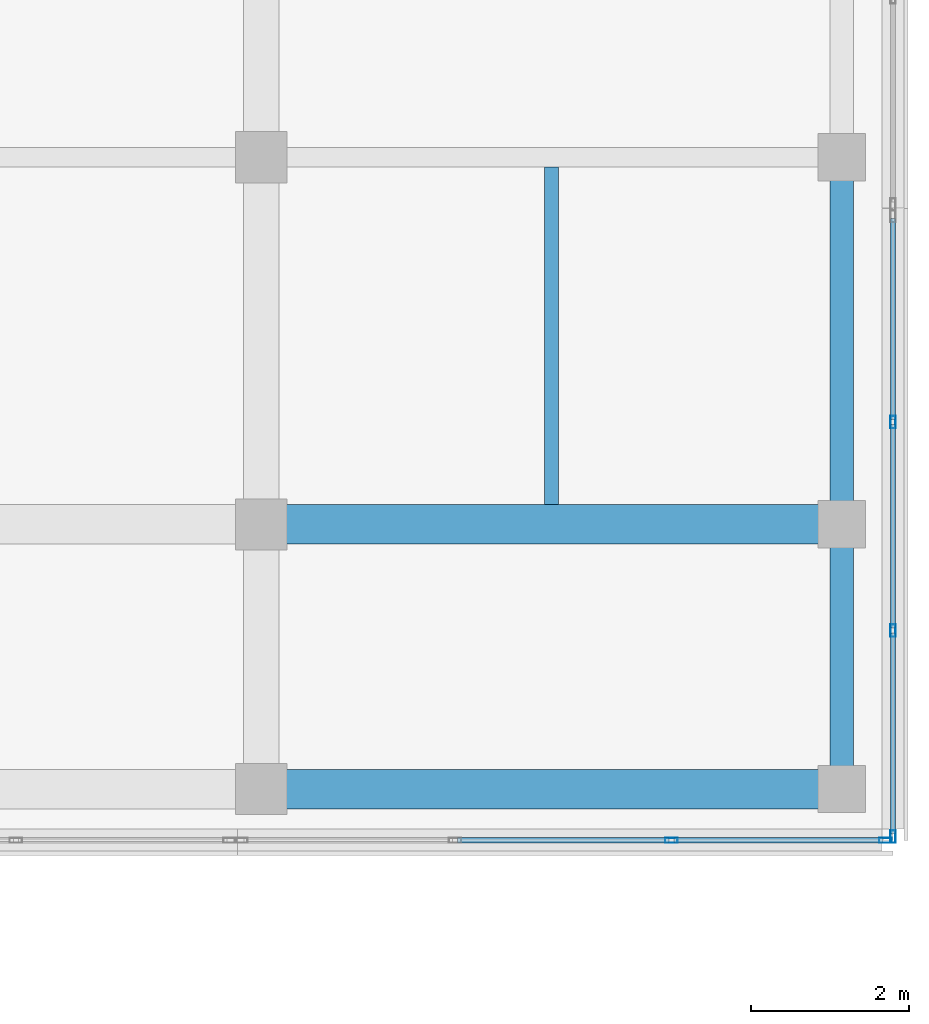
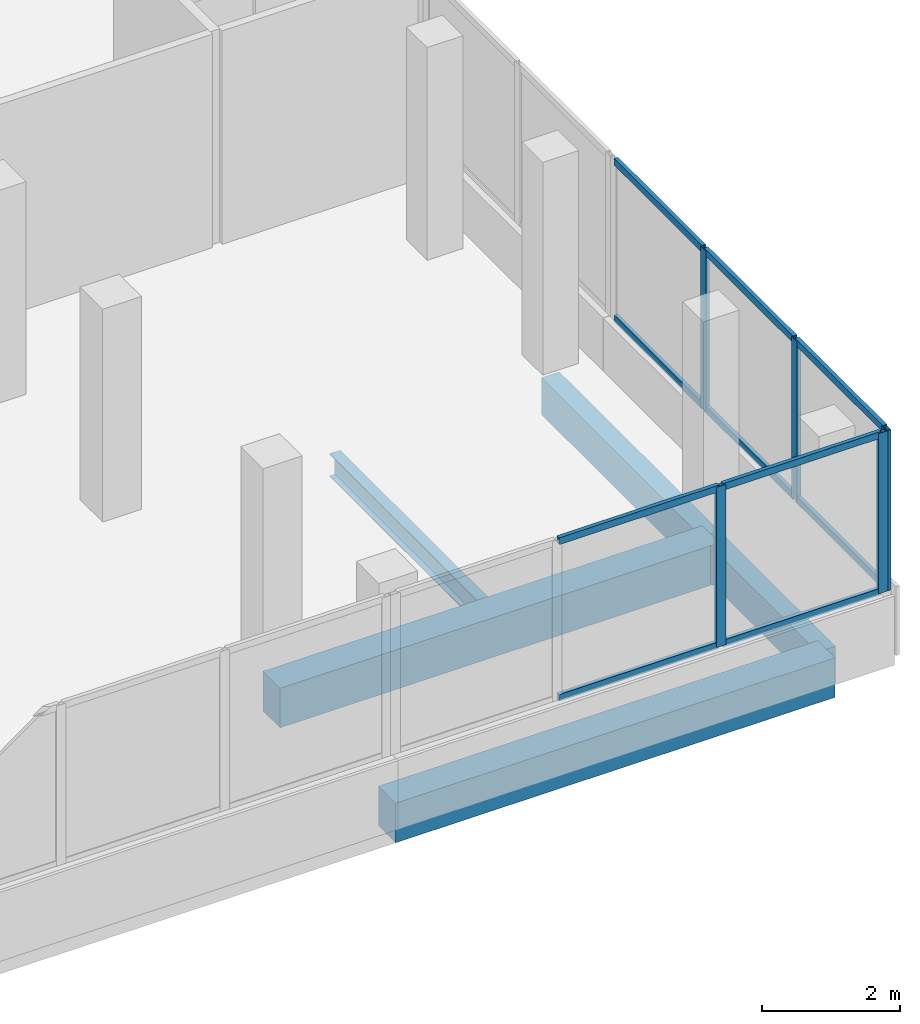
# One storey, part 42 of 78: 15 members, 5 beams, 2 elements without a shape of their own.
"""IFC4 building model written with IfcOpenShell, lengths in metres."""

import ifcopenshell
import ifcopenshell.guid

model = None  # the IFC model being written
_history = None  # IfcOwnerHistory: only IFC2X3 demands one
_inside = {}  # id of a spatial element -> (the spatial element, [elements in it])
_under = {}  # id of a project, library or spatial element -> (it, [spatial elements below it])
_declared = {}  # id of a project -> (the project, [libraries it declares])
_typed = {}  # id of a type object -> (the type object, [elements of that type])
_made_of = {}  # id of a material, layer set ... -> (it, [elements and type objects made of it])


def new_model(schema):
    """Start an empty IFC model of exactly this schema.

    Asked for "IFC4X3", IfcOpenShell would pick the latest addendum, in which some entities
    have other attributes; the version numbers below select the first issue.
    IFC2X3 requires an IfcOwnerHistory on every rooted entity: one is made here for all.
    """
    global model, _history
    if schema == "IFC4X3":
        model = ifcopenshell.file(schema_version=(4, 3, 0, 0))
    else:
        model = ifcopenshell.file(schema=schema)
    _inside.clear()
    _under.clear()
    _declared.clear()
    _typed.clear()
    _made_of.clear()
    _history = None
    if model.schema == "IFC2X3":
        org = make("IfcOrganization", Name="unknown")
        user = make(
            "IfcPersonAndOrganization",
            ThePerson=make("IfcPerson", FamilyName="unknown"),
            TheOrganization=org,
        )
        app = make(
            "IfcApplication",
            ApplicationDeveloper=org,
            Version="unknown",
            ApplicationFullName="unknown",
            ApplicationIdentifier="unknown",
        )
        _history = make(
            "IfcOwnerHistory",
            OwningUser=user,
            OwningApplication=app,
            ChangeAction="ADDED",
            CreationDate=0,
        )
    return model


def make(cls, **values):
    """One entity of the class cls with the attributes given. An attribute that is None is left unset."""
    return model.create_entity(
        cls, **{name: value for name, value in values.items() if value is not None}
    )


def rooted(cls, **values):
    """An entity with a GlobalId (a new one), such as an element, a storey or a relation."""
    return make(cls, GlobalId=ifcopenshell.guid.new(), OwnerHistory=_history, **values)


def si_unit(unit_type, name, prefix=None):
    """IfcSIUnit, for example si_unit("LENGTHUNIT", "METRE", prefix="MILLI")."""
    return make("IfcSIUnit", UnitType=unit_type, Prefix=prefix, Name=name)


def assignment(units):
    """IfcUnitAssignment: the units of a project."""
    return None if units is None else make("IfcUnitAssignment", Units=units)


def point(xyz):
    """IfcCartesianPoint."""
    return None if xyz is None else make("IfcCartesianPoint", Coordinates=xyz)


def direction(xyz):
    """IfcDirection."""
    return None if xyz is None else make("IfcDirection", DirectionRatios=xyz)


def frame(location, z_axis=None, x_axis=None):
    """IfcAxis2Placement3D, a coordinate frame: its origin and axes. An axis left out is left unset."""
    return make(
        "IfcAxis2Placement3D",
        Location=point(location),
        Axis=direction(z_axis),
        RefDirection=direction(x_axis),
    )


def frame_2d(location, x_axis=None):
    """IfcAxis2Placement2D, a coordinate frame in the plane: its origin and x axis."""
    return make(
        "IfcAxis2Placement2D", Location=point(location), RefDirection=direction(x_axis)
    )


def origin():
    """The frame at (0, 0, 0) with its axes left unset."""
    return frame((0.0, 0.0, 0.0))


def origin_2d():
    """The frame at (0, 0) in the plane with its x axis left unset."""
    return frame_2d((0.0, 0.0))


def place(relative_to, where):
    """IfcLocalPlacement: puts the frame where relative to a parent placement (None: the world)."""
    return make(
        "IfcLocalPlacement", PlacementRelTo=relative_to, RelativePlacement=where
    )


def context(
    kind, dimensions, precision=None, world=None, true_north=None, identifier=None
):
    """IfcGeometricRepresentationContext, for example the 3D "Model" context."""
    return make(
        "IfcGeometricRepresentationContext",
        ContextIdentifier=identifier,
        ContextType=kind,
        CoordinateSpaceDimension=dimensions,
        Precision=precision,
        WorldCoordinateSystem=world,
        TrueNorth=true_north,
    )


def subcontext(parent, identifier, kind, view, scale=None):
    """IfcGeometricRepresentationSubContext, for example "Body" below "Model"."""
    return make(
        "IfcGeometricRepresentationSubContext",
        ContextIdentifier=identifier,
        ContextType=kind,
        ParentContext=parent,
        TargetScale=scale,
        TargetView=view,
    )


def project(units=None, contexts=None):
    """IfcProject with its units and contexts."""
    return rooted(
        "IfcProject",
        Name="project",
        RepresentationContexts=contexts,
        UnitsInContext=assignment(units),
    )


def spatial(cls, under=None, at=None, **own):
    """A site, building, storey or space (cls), placed at a placement, below another one or the project."""
    s = rooted(cls, ObjectPlacement=at, **own)
    if under is not None:
        _under.setdefault(under.id(), (under, []))[1].append(s)
    return s


def profile(cls, at=None, kind="AREA", **sizes):
    """A parametric profile (cls). Its sizes go by their IFC names, for example OverallWidth=200.0."""
    return make(cls, ProfileType=kind, Position=at, **sizes)


def rectangle(**sizes):
    """IfcRectangleProfileDef."""
    return profile("IfcRectangleProfileDef", **sizes)


def hollow_rectangle(**sizes):
    """IfcRectangleHollowProfileDef."""
    return profile("IfcRectangleHollowProfileDef", **sizes)


def i_section(**sizes):
    """IfcIShapeProfileDef."""
    return profile("IfcIShapeProfileDef", **sizes)


def extrude(swept, where, along, depth):
    """IfcExtrudedAreaSolid: the profile swept, set in the frame where, extruded along a direction by depth."""
    return make(
        "IfcExtrudedAreaSolid",
        SweptArea=swept,
        Position=where,
        ExtrudedDirection=direction(along),
        Depth=depth,
    )


def shape(context_of_items, identifier, shape_type, items):
    """IfcShapeRepresentation: the items that make up one representation, for example the "Body"."""
    return make(
        "IfcShapeRepresentation",
        ContextOfItems=context_of_items,
        RepresentationIdentifier=identifier,
        RepresentationType=shape_type,
        Items=items,
    )


def material(Name=None, Category=None):
    """IfcMaterial."""
    return make("IfcMaterial", Name=Name, Category=Category)


def material_profile(
    of_material, cross_section, Name=None, Category=None, Priority=None
):
    """IfcMaterialProfile: a cross section and its material."""
    return make(
        "IfcMaterialProfile",
        Name=Name,
        Material=of_material,
        Profile=cross_section,
        Priority=Priority,
        Category=Category,
    )


def profile_set(profiles, Name=None, composite=None):
    """IfcMaterialProfileSet."""
    return make(
        "IfcMaterialProfileSet",
        Name=Name,
        MaterialProfiles=profiles,
        CompositeProfile=composite,
    )


def made_of(thing, what):
    """Note that an element or type object is made of a material, layer set ...; save() writes the relation."""
    if what is not None:
        _made_of.setdefault(what.id(), (what, []))[1].append(thing)
    return thing


def type_object(cls, material=None, **own):
    """A type object (cls), such as IfcWallType, which elements share."""
    return made_of(rooted(cls, **own), material)


def element(
    cls,
    number,
    at=None,
    inside=None,
    cuts=None,
    type_object=None,
    material=None,
    context=None,
    identifier="Body",
    shape_type=None,
    held_by="IfcProductDefinitionShape",
    body=None,
    shapes=None,
    **own,
):
    """One element of the class cls, such as IfcWall. Its Tag is "e" and its number.

    at: its placement. inside: the storey or other place that contains it. cuts: it is an
    opening in that element (IfcRelVoidsElement). A single representation is given by context,
    identifier, shape_type and body (its items); several are given by shapes. held_by: the class
    of the entity that holds the representations. save() writes the other relations.
    """
    e = rooted(cls, Tag="e%d" % number, ObjectPlacement=at, **own)
    if body is not None:
        shapes = [shape(context, identifier, shape_type, body)]
    if shapes is not None:
        e.Representation = make(held_by, Representations=shapes)
    if inside is not None:
        _inside.setdefault(inside.id(), (inside, []))[1].append(e)
    if cuts is not None:
        rooted(
            "IfcRelVoidsElement", RelatingBuildingElement=cuts, RelatedOpeningElement=e
        )
    if type_object is not None:
        _typed.setdefault(type_object.id(), (type_object, []))[1].append(e)
    return made_of(e, material)


def aggregate(whole, parts):
    """IfcRelAggregates: a whole, such as a stair, and the parts it consists of."""
    return rooted("IfcRelAggregates", RelatingObject=whole, RelatedObjects=parts)


def save(model, path):
    """Write the relations noted so far, then the file.

    IfcRelAggregates (storeys below a building ...), IfcRelContainedInSpatialStructure (elements
    in a storey), IfcRelDefinesByType, IfcRelAssociatesMaterial and IfcRelDeclares: one each for
    every whole, place, type object, material and project.
    """
    for whole, parts in _under.values():
        aggregate(whole, parts)
    for where, things in _inside.values():
        rooted(
            "IfcRelContainedInSpatialStructure",
            RelatedElements=things,
            RelatingStructure=where,
        )
    for kind, things in _typed.values():
        rooted("IfcRelDefinesByType", RelatedObjects=things, RelatingType=kind)
    for what, things in _made_of.values():
        rooted("IfcRelAssociatesMaterial", RelatedObjects=things, RelatingMaterial=what)
    for by, libraries in _declared.values():
        rooted("IfcRelDeclares", RelatingContext=by, RelatedDefinitions=libraries)
    model.write(path)


model = new_model("IFC4")

# Units and contexts
model_context = context("Model", 3, precision=1e-05, world=origin(), true_north=direction((0.0, 1.0)))
body_context = subcontext(model_context, "Body", "Model", "MODEL_VIEW")
ifc_project = project(units=[si_unit("LENGTHUNIT", "METRE"), si_unit("AREAUNIT", "SQUARE_METRE"), si_unit("VOLUMEUNIT", "CUBIC_METRE"), si_unit("PLANEANGLEUNIT", "RADIAN"), si_unit("MASSUNIT", "GRAM", prefix="KILO")], contexts=[model_context])

# Site, building, storey
site_placement = place(None, origin())
site = spatial("IfcSite", under=ifc_project, at=site_placement, CompositionType="ELEMENT")
building_placement = place(site_placement, origin())
building = spatial("IfcBuilding", under=site, at=building_placement, Name="Selatvlak General Hospital", CompositionType="ELEMENT")
storey_placement = place(building_placement, frame((0.0, 0.0, 23.25)))
storey = spatial("IfcBuildingStorey", under=building, at=storey_placement, Name="L05", CompositionType="ELEMENT", Elevation=23.25)

# Beams
ifc_material_1 = material(Name="Concrete C40/50", Category="concrete")
ifc_material_profile_1 = material_profile(ifc_material_1, rectangle(XDim=0.5, YDim=0.699951171875, at=origin_2d()), Name="RC-BM 500x700")
ifc_profile_set_1 = profile_set([ifc_material_profile_1], Name="Concrete C40/50")
beam_type_1 = type_object("IfcBeamType", Name="BM-G03", PredefinedType="BEAM", material=ifc_profile_set_1)
for number, where, z_axis, x_axis, name in (
    (1, (174.0, 64.64990234375, -0.6298828125), (1.0, 0.0, 0.0), (0.0, 1.0, 0.0), "Beam BMR-L05-1855"),
    (2, (174.0, 68.0, -0.6298828125), (1.0, 0.0, 0.0), (0.0, 1.0, 0.0), "Beam BMR-L05-1862"),
):
    element("IfcBeam", number, at=place(storey_placement, frame(where, z_axis=z_axis, x_axis=x_axis)), inside=storey, type_object=beam_type_1, Name=name, PredefinedType="BEAM", context=body_context, shape_type="SweptSolid", body=[
        extrude(rectangle(XDim=0.5, YDim=0.699951171875, at=origin_2d()), origin(), (0.0, 0.0, 1.0), 7.35009765625),
    ])
ifc_material_2 = material(Name="Steel S355", Category="steel")
ifc_material_profile_2 = material_profile(ifc_material_2, i_section(OverallWidth=0.177978515625, OverallDepth=0.406494140625, WebThickness=0.0078125, FlangeThickness=0.0126953125, at=origin_2d()), Name="UB 406x178x60")
ifc_profile_set_2 = profile_set([ifc_material_profile_2], Name="Steel S355")
beam_type_2 = type_object("IfcBeamType", Name="BM-J04", PredefinedType="JOIST", material=ifc_profile_set_2)
beam_1_placement = place(storey_placement, frame((177.675048828125, 68.25, -0.48291015625), z_axis=(0.0, 1.0, 0.0), x_axis=(-1.0, 0.0, 0.0)))
element("IfcBeam", 3, at=beam_1_placement, inside=storey, type_object=beam_type_2, Name="Beam BMR-L05-2117", PredefinedType="JOIST", context=body_context, shape_type="SweptSolid", body=[
    extrude(i_section(OverallWidth=0.177978515625, OverallDepth=0.406494140625, WebThickness=0.0078125, FlangeThickness=0.0126953125, at=origin_2d()), origin(), (0.0, 0.0, 1.0), 4.27490234375),
])
ifc_material_profile_3 = material_profile(ifc_material_1, rectangle(XDim=0.300048828125, YDim=0.64990234375, at=origin_2d()), Name="RC-SP 300x650")
ifc_profile_set_3 = profile_set([ifc_material_profile_3], Name="Concrete C40/50")
beam_type_3 = type_object("IfcBeamType", Name="BM-SP1", PredefinedType="SPANDREL", material=ifc_profile_set_3)
beam_2_placement = place(storey_placement, frame((181.35009765625, 64.64990234375, -0.60498046875), z_axis=(0.0, 1.0, 0.0), x_axis=(-1.0, 0.0, 0.0)))
element("IfcBeam", 4, at=beam_2_placement, inside=storey, type_object=beam_type_3, Name="Beam BMR-L05-2105", PredefinedType="SPANDREL", context=body_context, shape_type="SweptSolid", body=[
    extrude(rectangle(XDim=0.300048828125, YDim=0.64990234375, at=origin_2d()), origin(), (0.0, 0.0, 1.0), 3.35009765625),
])
beam_3_placement = place(storey_placement, frame((181.35009765625, 68.0, -0.60498046875), z_axis=(0.0, 1.0, 0.0), x_axis=(-1.0, 0.0, 0.0)))
element("IfcBeam", 5, at=beam_3_placement, inside=storey, type_object=beam_type_3, Name="Beam BMR-L05-2106", PredefinedType="SPANDREL", context=body_context, shape_type="SweptSolid", body=[
    extrude(rectangle(XDim=0.300048828125, YDim=0.64990234375, at=origin_2d()), origin(), (0.0, 0.0, 1.0), 4.64990234375),
])

# Curtain wall, members
ifc_material_3 = material(Name="Solar-control Low-E double glazing", Category="glass")
curtain_wall_type = type_object("IfcCurtainWallType", Name="CW-CW-01", PredefinedType="USERDEFINED", material=ifc_material_3)
curtain_wall_1_placement = place(storey_placement, origin())
curtain_wall_1 = element("IfcCurtainWall", 6, at=curtain_wall_1_placement, inside=storey, type_object=curtain_wall_type, Name="Glazed facade curtain wall CW-L05-0572", ObjectType="UNITISED CURTAIN WALL", PredefinedType="USERDEFINED")
ifc_material_4 = material(Name="Dark anodised aluminium mullion", Category="aluminium")
ifc_material_profile_4 = material_profile(ifc_material_4, hollow_rectangle(XDim=0.06494140625, YDim=0.159912109375, WallThickness=0.00390625, at=origin_2d()), Name="AL-MUL 65x160x4")
ifc_profile_set_4 = profile_set([ifc_material_profile_4], Name="Dark anodised aluminium mullion")
member_type_1 = type_object("IfcMemberType", Name="CWM-01", PredefinedType="MULLION", material=ifc_profile_set_4)
member_1_placement = place(storey_placement, frame((182.0, 69.2958984375, 0.93994140625), z_axis=(0.0, 0.0, 1.0), x_axis=(1.0, 0.0, 0.0)))
member_1 = element("IfcMember", 7, at=member_1_placement, type_object=member_type_1, Name="CW-01 mullion 2", PredefinedType="MULLION", context=body_context, shape_type="SweptSolid", body=[
    extrude(hollow_rectangle(XDim=0.06494140625, YDim=0.159912109375, WallThickness=0.00390625, at=origin_2d()), origin(), (0.0, 0.0, 1.0), 2.8349609375),
])
member_2_placement = place(storey_placement, frame((182.0, 66.656005859375, 0.93994140625), z_axis=(0.0, 0.0, 1.0), x_axis=(1.0, 0.0, 0.0)))
member_2 = element("IfcMember", 8, at=member_2_placement, type_object=member_type_1, Name="CW-01 mullion 3", PredefinedType="MULLION", context=body_context, shape_type="SweptSolid", body=[
    extrude(hollow_rectangle(XDim=0.06494140625, YDim=0.159912109375, WallThickness=0.00390625, at=origin_2d()), origin(), (0.0, 0.0, 1.0), 2.8349609375),
])
member_3_placement = place(storey_placement, frame((182.0, 64.048583984375, 0.93994140625), z_axis=(0.0, 0.0, 1.0), x_axis=(1.0, 0.0, 0.0)))
member_3 = element("IfcMember", 9, at=member_3_placement, type_object=member_type_1, Name="CW-01 mullion 4", PredefinedType="MULLION", context=body_context, shape_type="SweptSolid", body=[
    extrude(hollow_rectangle(XDim=0.06494140625, YDim=0.159912109375, WallThickness=0.00390625, at=origin_2d()), origin(), (0.0, 0.0, 1.0), 2.8349609375),
])

curtain_wall_2_placement = place(storey_placement, origin())
curtain_wall_2 = element("IfcCurtainWall", 10, at=curtain_wall_2_placement, inside=storey, type_object=curtain_wall_type, Name="Glazed facade curtain wall CW-L05-0573", ObjectType="UNITISED CURTAIN WALL", PredefinedType="USERDEFINED")
member_4_placement = place(storey_placement, frame((181.902587890625, 64.0009765625, 0.93994140625), z_axis=(0.0, 0.0, 1.0), x_axis=(0.0, -1.0, 0.0)))
member_4 = element("IfcMember", 11, at=member_4_placement, type_object=member_type_1, Name="CW-01 mullion 1", PredefinedType="MULLION", context=body_context, shape_type="SweptSolid", body=[
    extrude(hollow_rectangle(XDim=0.06494140625, YDim=0.159912109375, WallThickness=0.00390625, at=origin_2d()), origin(), (0.0, 0.0, 1.0), 2.8349609375),
])
member_5_placement = place(storey_placement, frame((179.195068359375, 64.0009765625, 0.93994140625), z_axis=(0.0, 0.0, 1.0), x_axis=(0.0, -1.0, 0.0)))
member_5 = element("IfcMember", 12, at=member_5_placement, type_object=member_type_1, Name="CW-01 mullion 2", PredefinedType="MULLION", context=body_context, shape_type="SweptSolid", body=[
    extrude(hollow_rectangle(XDim=0.06494140625, YDim=0.159912109375, WallThickness=0.00390625, at=origin_2d()), origin(), (0.0, 0.0, 1.0), 2.8349609375),
])

# Member
ifc_material_profile_5 = material_profile(ifc_material_4, hollow_rectangle(XDim=0.06494140625, YDim=0.1201171875, WallThickness=0.00390625, at=origin_2d()), Name="AL-TRN 65x120x4")
ifc_profile_set_5 = profile_set([ifc_material_profile_5], Name="Dark anodised aluminium mullion")
member_type_2 = type_object("IfcMemberType", Name="CWT-01", PredefinedType="USERDEFINED", material=ifc_profile_set_5)
member_6_placement = place(storey_placement, frame((182.0, 71.87109375, 0.972412109375), z_axis=(0.0, -1.0, 0.0), x_axis=(1.0, 0.0, 0.0)))
member_6 = element("IfcMember", 13, at=member_6_placement, type_object=member_type_2, Name="CW-01 transom 1.1", ObjectType="TRANSOM", PredefinedType="USERDEFINED", context=body_context, shape_type="SweptSolid", body=[
    extrude(hollow_rectangle(XDim=0.06494140625, YDim=0.1201171875, WallThickness=0.00390625, at=origin_2d()), origin(), (0.0, 0.0, 1.0), 2.54248046875),
])

member_7_placement = place(storey_placement, frame((182.0, 71.87109375, 3.742431640625), z_axis=(0.0, -1.0, 0.0), x_axis=(1.0, 0.0, 0.0)))
member_7 = element("IfcMember", 14, at=member_7_placement, type_object=member_type_2, Name="CW-01 transom 1.2", ObjectType="TRANSOM", PredefinedType="USERDEFINED", context=body_context, shape_type="SweptSolid", body=[
    extrude(hollow_rectangle(XDim=0.06494140625, YDim=0.1201171875, WallThickness=0.00390625, at=origin_2d()), origin(), (0.0, 0.0, 1.0), 2.54248046875),
])

member_8_placement = place(storey_placement, frame((182.0, 69.263427734375, 0.972412109375), z_axis=(0.0, -1.0, 0.0), x_axis=(1.0, 0.0, 0.0)))
member_8 = element("IfcMember", 15, at=member_8_placement, type_object=member_type_2, Name="CW-01 transom 2.1", ObjectType="TRANSOM", PredefinedType="USERDEFINED", context=body_context, shape_type="SweptSolid", body=[
    extrude(hollow_rectangle(XDim=0.06494140625, YDim=0.1201171875, WallThickness=0.00390625, at=origin_2d()), origin(), (0.0, 0.0, 1.0), 2.574951171875),
])

member_9_placement = place(storey_placement, frame((182.0, 69.263427734375, 3.742431640625), z_axis=(0.0, -1.0, 0.0), x_axis=(1.0, 0.0, 0.0)))
member_9 = element("IfcMember", 16, at=member_9_placement, type_object=member_type_2, Name="CW-01 transom 2.2", ObjectType="TRANSOM", PredefinedType="USERDEFINED", context=body_context, shape_type="SweptSolid", body=[
    extrude(hollow_rectangle(XDim=0.06494140625, YDim=0.1201171875, WallThickness=0.00390625, at=origin_2d()), origin(), (0.0, 0.0, 1.0), 2.574951171875),
])

member_10_placement = place(storey_placement, frame((182.0, 66.62353515625, 0.972412109375), z_axis=(0.0, -1.0, 0.0), x_axis=(1.0, 0.0, 0.0)))
member_10 = element("IfcMember", 17, at=member_10_placement, type_object=member_type_2, Name="CW-01 transom 3.1", ObjectType="TRANSOM", PredefinedType="USERDEFINED", context=body_context, shape_type="SweptSolid", body=[
    extrude(hollow_rectangle(XDim=0.06494140625, YDim=0.1201171875, WallThickness=0.00390625, at=origin_2d()), origin(), (0.0, 0.0, 1.0), 2.54248046875),
])

member_11_placement = place(storey_placement, frame((182.0, 66.62353515625, 3.742431640625), z_axis=(0.0, -1.0, 0.0), x_axis=(1.0, 0.0, 0.0)))
member_11 = element("IfcMember", 18, at=member_11_placement, type_object=member_type_2, Name="CW-01 transom 3.2", ObjectType="TRANSOM", PredefinedType="USERDEFINED", context=body_context, shape_type="SweptSolid", body=[
    extrude(hollow_rectangle(XDim=0.06494140625, YDim=0.1201171875, WallThickness=0.00390625, at=origin_2d()), origin(), (0.0, 0.0, 1.0), 2.54248046875),
])

aggregate(curtain_wall_1, [member_1, member_2, member_3, member_6, member_7, member_8, member_9, member_10, member_11])

member_12_placement = place(storey_placement, frame((181.8701171875, 64.0009765625, 0.972412109375), z_axis=(-1.0, 0.0, 0.0), x_axis=(0.0, -1.0, 0.0)))
member_12 = element("IfcMember", 19, at=member_12_placement, type_object=member_type_2, Name="CW-01 transom 1.1", ObjectType="TRANSOM", PredefinedType="USERDEFINED", context=body_context, shape_type="SweptSolid", body=[
    extrude(hollow_rectangle(XDim=0.06494140625, YDim=0.1201171875, WallThickness=0.00390625, at=origin_2d()), origin(), (0.0, 0.0, 1.0), 2.642578125),
])

member_13_placement = place(storey_placement, frame((181.8701171875, 64.0009765625, 3.742431640625), z_axis=(-1.0, 0.0, 0.0), x_axis=(0.0, -1.0, 0.0)))
member_13 = element("IfcMember", 20, at=member_13_placement, type_object=member_type_2, Name="CW-01 transom 1.2", ObjectType="TRANSOM", PredefinedType="USERDEFINED", context=body_context, shape_type="SweptSolid", body=[
    extrude(hollow_rectangle(XDim=0.06494140625, YDim=0.1201171875, WallThickness=0.00390625, at=origin_2d()), origin(), (0.0, 0.0, 1.0), 2.642578125),
])

member_14_placement = place(storey_placement, frame((179.16259765625, 64.0009765625, 0.972412109375), z_axis=(-1.0, 0.0, 0.0), x_axis=(0.0, -1.0, 0.0)))
member_14 = element("IfcMember", 21, at=member_14_placement, type_object=member_type_2, Name="CW-01 transom 2.1", ObjectType="TRANSOM", PredefinedType="USERDEFINED", context=body_context, shape_type="SweptSolid", body=[
    extrude(hollow_rectangle(XDim=0.06494140625, YDim=0.1201171875, WallThickness=0.00390625, at=origin_2d()), origin(), (0.0, 0.0, 1.0), 2.675048828125),
])

member_15_placement = place(storey_placement, frame((179.16259765625, 64.0009765625, 3.742431640625), z_axis=(-1.0, 0.0, 0.0), x_axis=(0.0, -1.0, 0.0)))
member_15 = element("IfcMember", 22, at=member_15_placement, type_object=member_type_2, Name="CW-01 transom 2.2", ObjectType="TRANSOM", PredefinedType="USERDEFINED", context=body_context, shape_type="SweptSolid", body=[
    extrude(hollow_rectangle(XDim=0.06494140625, YDim=0.1201171875, WallThickness=0.00390625, at=origin_2d()), origin(), (0.0, 0.0, 1.0), 2.675048828125),
])

aggregate(curtain_wall_2, [member_4, member_5, member_12, member_13, member_14, member_15])

save(model, "model.ifc")
